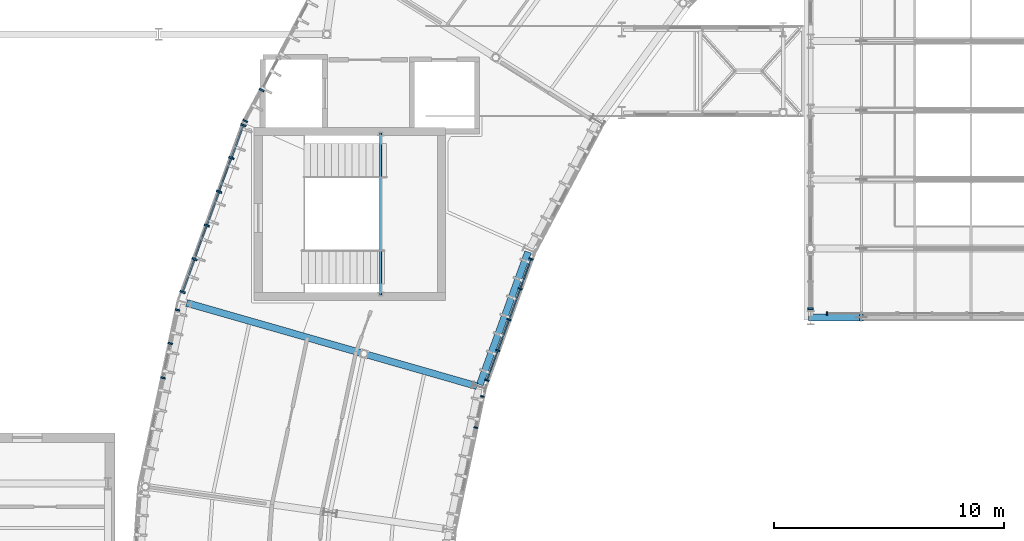
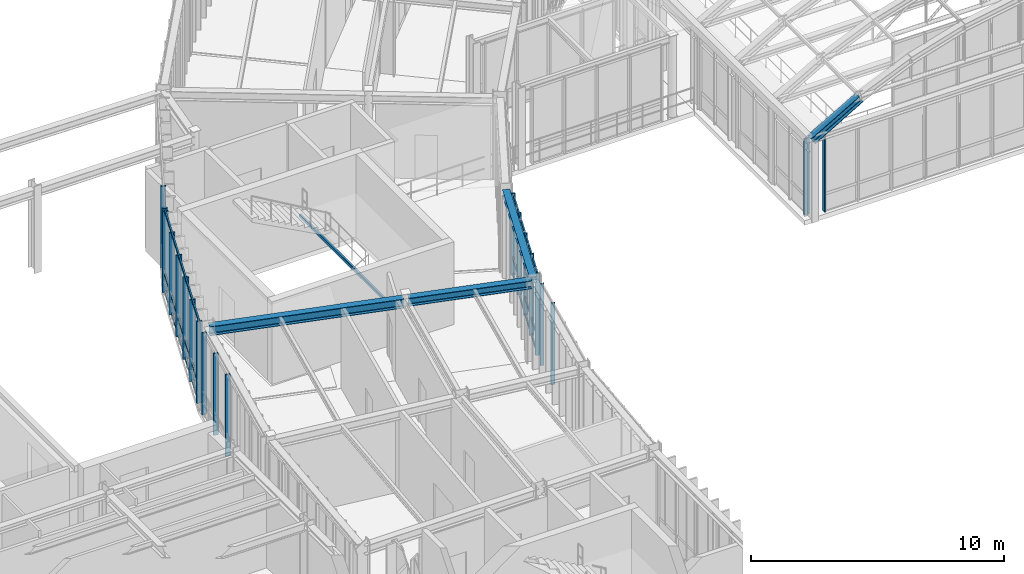
# One storey, part 22 of 148: 27 members, 4 beams, 7 elements without a shape of their own.
"""IFC4 building model written with IfcOpenShell, lengths in metres."""

from ifc_helpers import new_model, si_unit, direction, frame, origin, origin_2d, place, context, subcontext, project, spatial, rectangle, hollow_rectangle, i_section, extrude, material, layer, layer_set, material_profile, profile_set, type_object, element, aggregate, save


model = new_model("IFC4")

# Units and contexts
model_context = context("Model", 3, precision=1e-05, world=origin(), true_north=direction((0.0, 1.0)))
body_context = subcontext(model_context, "Body", "Model", "MODEL_VIEW")
ifc_project = project(units=[si_unit("LENGTHUNIT", "METRE"), si_unit("AREAUNIT", "SQUARE_METRE"), si_unit("VOLUMEUNIT", "CUBIC_METRE"), si_unit("PLANEANGLEUNIT", "RADIAN"), si_unit("MASSUNIT", "GRAM", prefix="KILO"), si_unit("THERMODYNAMICTEMPERATUREUNIT", "KELVIN"), si_unit("POWERUNIT", "WATT")], contexts=[model_context])

# Site, building, storey
site_placement = place(None, origin())
site = spatial("IfcSite", under=ifc_project, at=site_placement, CompositionType="ELEMENT")
building_placement = place(site_placement, origin())
building = spatial("IfcBuilding", under=site, at=building_placement, Name="Solvatero Civic Police Headquarters", CompositionType="ELEMENT")
storey_placement = place(building_placement, frame((0.0, 0.0, 5.10009765625)))
storey = spatial("IfcBuildingStorey", under=building, at=storey_placement, Name="L01", CompositionType="ELEMENT", Elevation=5.10009765625)

# Beams
ifc_material_1 = material(Name="Steel S355", Category="steel")
ifc_material_profile_1 = material_profile(ifc_material_1, i_section(OverallWidth=0.300048828125, OverallDepth=0.2900390625, WebThickness=0.008544921875, FlangeThickness=0.013916015625, FilletRadius=0.027099609375, at=origin_2d()), Name="HEA 300")
ifc_profile_set_1 = profile_set([ifc_material_profile_1], Name="Steel S355")
beam_type_1 = type_object("IfcBeamType", Name="BM-ST-HEA300", PredefinedType="SPANDREL", material=ifc_profile_set_1)
beam_1_placement = place(storey_placement, frame((52.53662109375, 44.3515625, 3.8349609375), z_axis=(-0.342050189855, -0.939681684199, 0.0), x_axis=(0.939681684199, -0.342050189855, 0.0)))
element("IfcBeam", 1, at=beam_1_placement, inside=storey, type_object=beam_type_1, Name="Perimeter / radial spandrel beam BM-R2-L01-ARC-CIN-B10", PredefinedType="SPANDREL", context=body_context, shape_type="SweptSolid", body=[
    extrude(i_section(OverallWidth=0.300048828125, OverallDepth=0.2900390625, WebThickness=0.008544921875, FlangeThickness=0.013916015625, FilletRadius=0.027099609375, at=origin_2d()), origin(), (0.0, 0.0, 1.0), 6.126953125),
])
ifc_material_profile_2 = material_profile(ifc_material_1, i_section(OverallWidth=0.300048828125, OverallDepth=0.389892578125, WebThickness=0.010986328125, FlangeThickness=0.01904296875, FilletRadius=0.027099609375, at=origin_2d()), Name="HEA 400")
ifc_profile_set_2 = profile_set([ifc_material_profile_2], Name="Steel S355")
beam_type_2 = type_object("IfcBeamType", Name="BM-ST-HEA400", PredefinedType="BEAM", material=ifc_profile_set_2)
beam_2_placement = place(storey_placement, frame((50.310791015625, 38.52783203125, 3.784912109375), z_axis=(-0.961263719424, 0.275630298987, 0.0), x_axis=(-0.275630298987, -0.961263719424, 0.0)))
element("IfcBeam", 2, at=beam_2_placement, inside=storey, type_object=beam_type_2, Name="Primary girder BM-R2-L01-ARC-RAD1-S10", PredefinedType="BEAM", context=body_context, shape_type="SweptSolid", body=[
    extrude(i_section(OverallWidth=0.300048828125, OverallDepth=0.389892578125, WebThickness=0.010986328125, FlangeThickness=0.01904296875, FilletRadius=0.027099609375, at=origin_2d()), origin(), (0.0, 0.0, 1.0), 5.0),
])
ifc_material_profile_3 = material_profile(ifc_material_1, i_section(OverallWidth=0.300048828125, OverallDepth=0.43994140625, WebThickness=0.011474609375, FlangeThickness=0.02099609375, FilletRadius=0.027099609375, at=origin_2d()), Name="HEA 450")
ifc_profile_set_3 = profile_set([ifc_material_profile_3], Name="Steel S355")
beam_type_3 = type_object("IfcBeamType", Name="BM-ST-HEA450", PredefinedType="BEAM", material=ifc_profile_set_3)
beam_3_placement = place(storey_placement, frame((45.31201171875, 39.961181640625, 3.760009765625), z_axis=(-0.961271645974, 0.275602653554, 0.0), x_axis=(-0.275602653554, -0.961271645974, 0.0)))
element("IfcBeam", 3, at=beam_3_placement, inside=storey, type_object=beam_type_3, Name="Primary girder BM-R2-L01-ARC-RAD2-S10", PredefinedType="BEAM", context=body_context, shape_type="SweptSolid", body=[
    extrude(i_section(OverallWidth=0.300048828125, OverallDepth=0.43994140625, WebThickness=0.011474609375, FlangeThickness=0.02099609375, FilletRadius=0.027099609375, at=origin_2d()), origin(), (0.0, 0.0, 1.0), 7.89990234375),
])
ifc_material_profile_4 = material_profile(ifc_material_1, i_section(OverallWidth=0.300048828125, OverallDepth=0.360107421875, WebThickness=0.012451171875, FlangeThickness=0.0224609375, FilletRadius=0.027099609375, at=origin_2d()), Name="HEB 360")
ifc_profile_set_4 = profile_set([ifc_material_profile_4], Name="Steel S355")
beam_type_4 = type_object("IfcBeamType", Name="BM-ST-HEB360", PredefinedType="BEAM", material=ifc_profile_set_4)
beam_4_placement = place(storey_placement, frame((64.800048828125, 41.5, 3.806884765625), z_axis=(0.865485501766, 0.0, 0.500933973926), x_axis=(0.0, 1.0, 0.0)))
element("IfcBeam", 4, at=beam_4_placement, inside=storey, type_object=beam_type_4, Name="VLT2 Tied-Arch Vault Top Chord F1.1", PredefinedType="BEAM", context=body_context, shape_type="SweptSolid", body=[
    extrude(i_section(OverallWidth=0.300048828125, OverallDepth=0.360107421875, WebThickness=0.012451171875, FlangeThickness=0.0224609375, FilletRadius=0.027099609375, at=origin_2d()), origin(), (0.0, 0.0, 1.0), 2.540283203125),
])

# Curtain wall, members
ifc_material_2 = material(Name="Anodized Bronze Aluminium", Category="aluminium")
ifc_layer_1 = layer(ifc_material_2, 0.179931640625)
ifc_layer_set_1 = layer_set([ifc_layer_1], Name="Anodized Bronze Aluminium")
curtain_wall_type_1 = type_object("IfcCurtainWallType", Name="CW-ARC-OUT", PredefinedType="USERDEFINED", material=ifc_layer_set_1)
curtain_wall_1_placement = place(storey_placement, origin())
curtain_wall_1 = element("IfcCurtainWall", 5, at=curtain_wall_1_placement, inside=storey, type_object=curtain_wall_type_1, Name="Curtain Wall CW-R2-L01-ARC-OUT-B10", ObjectType="UNITISED", PredefinedType="USERDEFINED")
ifc_material_profile_5 = material_profile(ifc_material_2, rectangle(XDim=0.080078125, YDim=0.239990234375, at=origin_2d()), Name="ALU MULLION 80x240")
ifc_profile_set_5 = profile_set([ifc_material_profile_5], Name="Anodized Bronze Aluminium")
member_type_1 = type_object("IfcMemberType", Name="CWM-140x60", PredefinedType="MULLION", material=ifc_profile_set_5)
member_1_placement = place(storey_placement, frame((40.17626953125, 49.854736328125, 0.0), z_axis=(0.0, 0.0, 1.0), x_axis=(-0.342020143326, -0.939692620786, 0.0)))
member_1 = element("IfcMember", 6, at=member_1_placement, type_object=member_type_1, Name="CW-R2-L01-ARC-OUT-B10 Mullion 1", PredefinedType="MULLION", context=body_context, shape_type="SweptSolid", body=[
    extrude(rectangle(XDim=0.080078125, YDim=0.239990234375, at=origin_2d()), origin(), (0.0, 0.0, 1.0), 3.93994140625),
])
member_2_placement = place(storey_placement, frame((39.656982421875, 48.428466796875, 0.0), z_axis=(0.0, 0.0, 1.0), x_axis=(-0.342020143326, -0.939692620786, 0.0)))
member_2 = element("IfcMember", 7, at=member_2_placement, type_object=member_type_1, Name="CW-R2-L01-ARC-OUT-B10 Mullion 2", PredefinedType="MULLION", context=body_context, shape_type="SweptSolid", body=[
    extrude(rectangle(XDim=0.080078125, YDim=0.239990234375, at=origin_2d()), origin(), (0.0, 0.0, 1.0), 3.93994140625),
])
member_3_placement = place(storey_placement, frame((39.12451171875, 46.964599609375, 0.0), z_axis=(0.0, 0.0, 1.0), x_axis=(-0.342020143326, -0.939692620786, 0.0)))
member_3 = element("IfcMember", 8, at=member_3_placement, type_object=member_type_1, Name="CW-R2-L01-ARC-OUT-B10 Mullion 3", PredefinedType="MULLION", context=body_context, shape_type="SweptSolid", body=[
    extrude(rectangle(XDim=0.080078125, YDim=0.239990234375, at=origin_2d()), origin(), (0.0, 0.0, 1.0), 3.93994140625),
])
member_4_placement = place(storey_placement, frame((38.591552734375, 45.5009765625, 0.0), z_axis=(0.0, 0.0, 1.0), x_axis=(-0.342020143326, -0.939692620786, 0.0)))
member_4 = element("IfcMember", 9, at=member_4_placement, type_object=member_type_1, Name="CW-R2-L01-ARC-OUT-B10 Mullion 4", PredefinedType="MULLION", context=body_context, shape_type="SweptSolid", body=[
    extrude(rectangle(XDim=0.080078125, YDim=0.239990234375, at=origin_2d()), origin(), (0.0, 0.0, 1.0), 3.93994140625),
])
member_5_placement = place(storey_placement, frame((38.058837890625, 44.037109375, 0.0), z_axis=(0.0, 0.0, 1.0), x_axis=(-0.342020143326, -0.939692620786, 0.0)))
member_5 = element("IfcMember", 10, at=member_5_placement, type_object=member_type_1, Name="CW-R2-L01-ARC-OUT-B10 Mullion 5", PredefinedType="MULLION", context=body_context, shape_type="SweptSolid", body=[
    extrude(rectangle(XDim=0.080078125, YDim=0.239990234375, at=origin_2d()), origin(), (0.0, 0.0, 1.0), 3.93994140625),
])
member_6_placement = place(storey_placement, frame((37.539794921875, 42.611083984375, 0.0), z_axis=(0.0, 0.0, 1.0), x_axis=(-0.342020143326, -0.939692620786, 0.0)))
member_6 = element("IfcMember", 11, at=member_6_placement, type_object=member_type_1, Name="CW-R2-L01-ARC-OUT-B10 Mullion 6", PredefinedType="MULLION", context=body_context, shape_type="SweptSolid", body=[
    extrude(rectangle(XDim=0.080078125, YDim=0.239990234375, at=origin_2d()), origin(), (0.0, 0.0, 1.0), 3.93994140625),
])

# Curtain wall, member
ifc_layer_2 = layer(ifc_material_2, 0.179931640625)
ifc_layer_set_2 = layer_set([ifc_layer_2], Name="Anodized Bronze Aluminium")
curtain_wall_type_2 = type_object("IfcCurtainWallType", Name="CW-HAL-GLZ", PredefinedType="USERDEFINED", material=ifc_layer_set_2)
curtain_wall_2_placement = place(storey_placement, origin())
curtain_wall_2 = element("IfcCurtainWall", 12, at=curtain_wall_2_placement, inside=storey, type_object=curtain_wall_type_2, Name="Curtain Wall CW-R2-L01-V2-W-B1", ObjectType="UNITISED", PredefinedType="USERDEFINED")
member_7_placement = place(storey_placement, frame((64.800048828125, 41.8798828125, 0.0), z_axis=(0.0, 0.0, 1.0), x_axis=(0.0, 1.0, 0.0)))
member_7 = element("IfcMember", 13, at=member_7_placement, type_object=member_type_1, Name="CW-R2-L01-V2-W-B1 Mullion 1", PredefinedType="MULLION", context=body_context, shape_type="SweptSolid", body=[
    extrude(rectangle(XDim=0.080078125, YDim=0.239990234375, at=origin_2d()), origin(), (0.0, 0.0, 1.0), 3.659912109375),
])
aggregate(curtain_wall_2, [member_7])

# Curtain wall, members
ifc_layer_3 = layer(ifc_material_2, 0.179931640625)
ifc_layer_set_3 = layer_set([ifc_layer_3], Name="Anodized Bronze Aluminium")
curtain_wall_type_3 = type_object("IfcCurtainWallType", Name="CW-ARC-IN", PredefinedType="USERDEFINED", material=ifc_layer_set_3)
curtain_wall_3_placement = place(storey_placement, origin())
curtain_wall_3 = element("IfcCurtainWall", 14, at=curtain_wall_3_placement, inside=storey, type_object=curtain_wall_type_3, Name="Curtain Wall CW-R2-L01-ARC-IN-B11", ObjectType="UNITISED", PredefinedType="USERDEFINED")
ifc_material_profile_6 = material_profile(ifc_material_2, rectangle(XDim=0.06005859375, YDim=0.159912109375, at=origin_2d()), Name="ALU MULLION 60x160")
ifc_profile_set_6 = profile_set([ifc_material_profile_6], Name="Anodized Bronze Aluminium")
member_type_2 = type_object("IfcMemberType", Name="CWM-180x70", PredefinedType="MULLION", material=ifc_profile_set_6)
member_8_placement = place(storey_placement, frame((50.55224609375, 38.080810546875, 0.0), z_axis=(0.0, 0.0, 1.0), x_axis=(-0.207911690818, -0.978147600734, 0.0)))
member_8 = element("IfcMember", 15, at=member_8_placement, type_object=member_type_2, Name="CW-R2-L01-ARC-IN-B11 Mullion 1", PredefinedType="MULLION", context=body_context, shape_type="SweptSolid", body=[
    extrude(rectangle(XDim=0.06005859375, YDim=0.159912109375, at=origin_2d()), origin(), (0.0, 0.0, 1.0), 3.93994140625),
])
member_9_placement = place(storey_placement, frame((50.264892578125, 36.729736328125, 0.0), z_axis=(0.0, 0.0, 1.0), x_axis=(-0.207911690818, -0.978147600734, 0.0)))
member_9 = element("IfcMember", 16, at=member_9_placement, type_object=member_type_2, Name="CW-R2-L01-ARC-IN-B11 Mullion 2", PredefinedType="MULLION", context=body_context, shape_type="SweptSolid", body=[
    extrude(rectangle(XDim=0.06005859375, YDim=0.159912109375, at=origin_2d()), origin(), (0.0, 0.0, 1.0), 3.93994140625),
])
aggregate(curtain_wall_3, [member_8, member_9])

# Curtain wall, member
curtain_wall_4_placement = place(storey_placement, origin())
curtain_wall_4 = element("IfcCurtainWall", 17, at=curtain_wall_4_placement, inside=storey, type_object=curtain_wall_type_2, Name="Curtain Wall CW-R2-L01-V2-S", ObjectType="UNITISED", PredefinedType="USERDEFINED")
member_10_placement = place(storey_placement, frame((65.5, 41.679931640625, 0.0), z_axis=(0.0, 0.0, 1.0), x_axis=(1.0, 0.0, 0.0)))
member_10 = element("IfcMember", 18, at=member_10_placement, type_object=member_type_2, Name="CW-R2-L01-V2-S Mullion 1", PredefinedType="MULLION", context=body_context, shape_type="SweptSolid", body=[
    extrude(rectangle(XDim=0.06005859375, YDim=0.159912109375, at=origin_2d()), origin(), (0.0, 0.0, 1.0), 3.619873046875),
])
aggregate(curtain_wall_4, [member_10])

# Curtain wall, members
curtain_wall_5_placement = place(storey_placement, origin())
curtain_wall_5 = element("IfcCurtainWall", 19, at=curtain_wall_5_placement, inside=storey, type_object=curtain_wall_type_3, Name="Curtain Wall CW-R2-L01-ARC-IN-B10", ObjectType="UNITISED", PredefinedType="USERDEFINED")
ifc_material_profile_7 = material_profile(ifc_material_2, rectangle(XDim=0.06494140625, YDim=0.179931640625, at=origin_2d()), Name="ALU MULLION 65x180")
ifc_profile_set_7 = profile_set([ifc_material_profile_7], Name="Anodized Bronze Aluminium")
member_type_3 = type_object("IfcMemberType", Name="CWM-200x75", PredefinedType="MULLION", material=ifc_profile_set_7)
member_11_placement = place(storey_placement, frame((52.669189453125, 44.045654296875, 0.0), z_axis=(0.0, 0.0, 1.0), x_axis=(-0.342020143326, -0.939692620786, 0.0)))
member_11 = element("IfcMember", 20, at=member_11_placement, type_object=member_type_3, Name="CW-R2-L01-ARC-IN-B10 Mullion 1", PredefinedType="MULLION", context=body_context, shape_type="SweptSolid", body=[
    extrude(rectangle(XDim=0.06494140625, YDim=0.179931640625, at=origin_2d()), origin(), (0.0, 0.0, 1.0), 3.93994140625),
])
member_12_placement = place(storey_placement, frame((52.197021484375, 42.747802734375, 0.0), z_axis=(0.0, 0.0, 1.0), x_axis=(-0.342020143326, -0.939692620786, 0.0)))
member_12 = element("IfcMember", 21, at=member_12_placement, type_object=member_type_3, Name="CW-R2-L01-ARC-IN-B10 Mullion 2", PredefinedType="MULLION", context=body_context, shape_type="SweptSolid", body=[
    extrude(rectangle(XDim=0.06494140625, YDim=0.179931640625, at=origin_2d()), origin(), (0.0, 0.0, 1.0), 3.93994140625),
])
member_13_placement = place(storey_placement, frame((51.7109375, 41.412109375, 0.0), z_axis=(0.0, 0.0, 1.0), x_axis=(-0.342020143326, -0.939692620786, 0.0)))
member_13 = element("IfcMember", 22, at=member_13_placement, type_object=member_type_3, Name="CW-R2-L01-ARC-IN-B10 Mullion 3", PredefinedType="MULLION", context=body_context, shape_type="SweptSolid", body=[
    extrude(rectangle(XDim=0.06494140625, YDim=0.179931640625, at=origin_2d()), origin(), (0.0, 0.0, 1.0), 3.93994140625),
])
member_14_placement = place(storey_placement, frame((51.224853515625, 40.076904296875, 0.0), z_axis=(0.0, 0.0, 1.0), x_axis=(-0.342020143326, -0.939692620786, 0.0)))
member_14 = element("IfcMember", 23, at=member_14_placement, type_object=member_type_3, Name="CW-R2-L01-ARC-IN-B10 Mullion 4", PredefinedType="MULLION", context=body_context, shape_type="SweptSolid", body=[
    extrude(rectangle(XDim=0.06494140625, YDim=0.179931640625, at=origin_2d()), origin(), (0.0, 0.0, 1.0), 3.93994140625),
])
member_15_placement = place(storey_placement, frame((50.75244140625, 38.77880859375, 0.0), z_axis=(0.0, 0.0, 1.0), x_axis=(-0.342020143326, -0.939692620786, 0.0)))
member_15 = element("IfcMember", 24, at=member_15_placement, type_object=member_type_3, Name="CW-R2-L01-ARC-IN-B10 Mullion 5", PredefinedType="MULLION", context=body_context, shape_type="SweptSolid", body=[
    extrude(rectangle(XDim=0.06494140625, YDim=0.179931640625, at=origin_2d()), origin(), (0.0, 0.0, 1.0), 3.93994140625),
])

curtain_wall_6_placement = place(storey_placement, origin())
curtain_wall_6 = element("IfcCurtainWall", 25, at=curtain_wall_6_placement, inside=storey, type_object=curtain_wall_type_1, Name="Curtain Wall CW-R2-L01-ARC-OUT-B11", ObjectType="UNITISED", PredefinedType="USERDEFINED")
ifc_material_profile_8 = material_profile(ifc_material_2, rectangle(XDim=0.070068359375, YDim=0.199951171875, at=origin_2d()), Name="ALU MULLION 70x200")
ifc_profile_set_8 = profile_set([ifc_material_profile_8], Name="Anodized Bronze Aluminium")
member_type_4 = type_object("IfcMemberType", Name="CWM-220x80", PredefinedType="MULLION", material=ifc_profile_set_8)
member_16_placement = place(storey_placement, frame((37.31640625, 41.83251953125, 0.0), z_axis=(0.0, 0.0, 1.0), x_axis=(-0.207911690818, -0.978147600734, 0.0)))
member_16 = element("IfcMember", 26, at=member_16_placement, type_object=member_type_4, Name="CW-R2-L01-ARC-OUT-B11 Mullion 1", PredefinedType="MULLION", context=body_context, shape_type="SweptSolid", body=[
    extrude(rectangle(XDim=0.070068359375, YDim=0.199951171875, at=origin_2d()), origin(), (0.0, 0.0, 1.0), 3.93994140625),
])
member_17_placement = place(storey_placement, frame((37.007568359375, 40.378662109375, 0.0), z_axis=(0.0, 0.0, 1.0), x_axis=(-0.207911690818, -0.978147600734, 0.0)))
member_17 = element("IfcMember", 27, at=member_17_placement, type_object=member_type_4, Name="CW-R2-L01-ARC-OUT-B11 Mullion 2", PredefinedType="MULLION", context=body_context, shape_type="SweptSolid", body=[
    extrude(rectangle(XDim=0.070068359375, YDim=0.199951171875, at=origin_2d()), origin(), (0.0, 0.0, 1.0), 3.93994140625),
])
member_18_placement = place(storey_placement, frame((36.690185546875, 38.885986328125, 0.0), z_axis=(0.0, 0.0, 1.0), x_axis=(-0.207911690818, -0.978147600734, 0.0)))
member_18 = element("IfcMember", 28, at=member_18_placement, type_object=member_type_4, Name="CW-R2-L01-ARC-OUT-B11 Mullion 3", PredefinedType="MULLION", context=body_context, shape_type="SweptSolid", body=[
    extrude(rectangle(XDim=0.070068359375, YDim=0.199951171875, at=origin_2d()), origin(), (0.0, 0.0, 1.0), 3.93994140625),
])
aggregate(curtain_wall_6, [member_16, member_17, member_18])

curtain_wall_7_placement = place(storey_placement, origin())
curtain_wall_7 = element("IfcCurtainWall", 29, at=curtain_wall_7_placement, inside=storey, type_object=curtain_wall_type_1, Name="Curtain Wall CW-R2-L01-ARC-OUT-B09", ObjectType="UNITISED", PredefinedType="USERDEFINED")
ifc_material_profile_9 = material_profile(ifc_material_2, rectangle(XDim=0.074951171875, YDim=0.219970703125, at=origin_2d()), Name="ALU MULLION 75x220")
ifc_profile_set_9 = profile_set([ifc_material_profile_9], Name="Anodized Bronze Aluminium")
member_type_5 = type_object("IfcMemberType", Name="CWM-250x85", PredefinedType="MULLION", material=ifc_profile_set_9)
member_19_placement = place(storey_placement, frame((40.969970703125, 51.377197265625, 0.0), z_axis=(0.0, 0.0, 1.0), x_axis=(-0.469471562786, -0.882947592859, 0.0)))
member_19 = element("IfcMember", 30, at=member_19_placement, type_object=member_type_5, Name="CW-R2-L01-ARC-OUT-B09 Mullion 5", PredefinedType="MULLION", context=body_context, shape_type="SweptSolid", body=[
    extrude(rectangle(XDim=0.074951171875, YDim=0.219970703125, at=origin_2d()), origin(), (0.0, 0.0, 1.0), 3.93994140625),
])
member_20_placement = place(storey_placement, frame((40.25732421875, 50.037109375, 0.0), z_axis=(0.0, 0.0, 1.0), x_axis=(-0.469471562786, -0.882947592859, 0.0)))
member_20 = element("IfcMember", 31, at=member_20_placement, type_object=member_type_5, Name="CW-R2-L01-ARC-OUT-B09 Mullion 6", PredefinedType="MULLION", context=body_context, shape_type="SweptSolid", body=[
    extrude(rectangle(XDim=0.074951171875, YDim=0.219970703125, at=origin_2d()), origin(), (0.0, 0.0, 1.0), 3.93994140625),
])
aggregate(curtain_wall_7, [member_19, member_20])

# Member
ifc_material_profile_10 = material_profile(ifc_material_2, rectangle(XDim=0.06005859375, YDim=0.110107421875, at=origin_2d()), Name="ALU TRANSOM 60x110")
ifc_profile_set_10 = profile_set([ifc_material_profile_10], Name="Anodized Bronze Aluminium")
member_type_6 = type_object("IfcMemberType", Name="CWT-140x60", PredefinedType="USERDEFINED", material=ifc_profile_set_10)
member_21_placement = place(storey_placement, frame((52.666015625, 44.0361328125, 0.039794921875), z_axis=(-0.342037893317, -0.939686160128, 0.0), x_axis=(0.939686160128, -0.342037893317, 0.0)))
member_21 = element("IfcMember", 32, at=member_21_placement, type_object=member_type_6, Name="CW-R2-L01-ARC-IN-B10 Transom 1", ObjectType="TRANSOM", PredefinedType="USERDEFINED", context=body_context, shape_type="SweptSolid", body=[
    extrude(rectangle(XDim=0.06005859375, YDim=0.110107421875, at=origin_2d()), origin(), (0.0, 0.0, 1.0), 5.584716796875),
])

member_22_placement = place(storey_placement, frame((52.666015625, 44.0361328125, 0.849853515625), z_axis=(-0.342037893317, -0.939686160128, 0.0), x_axis=(0.939686160128, -0.342037893317, 0.0)))
member_22 = element("IfcMember", 33, at=member_22_placement, type_object=member_type_6, Name="CW-R2-L01-ARC-IN-B10 Transom 2", ObjectType="TRANSOM", PredefinedType="USERDEFINED", context=body_context, shape_type="SweptSolid", body=[
    extrude(rectangle(XDim=0.06005859375, YDim=0.110107421875, at=origin_2d()), origin(), (0.0, 0.0, 1.0), 5.584716796875),
])

member_23_placement = place(storey_placement, frame((52.666015625, 44.0361328125, 3.89990234375), z_axis=(-0.342037893317, -0.939686160128, 0.0), x_axis=(0.939686160128, -0.342037893317, 0.0)))
member_23 = element("IfcMember", 34, at=member_23_placement, type_object=member_type_6, Name="CW-R2-L01-ARC-IN-B10 Transom 3", ObjectType="TRANSOM", PredefinedType="USERDEFINED", context=body_context, shape_type="SweptSolid", body=[
    extrude(rectangle(XDim=0.06005859375, YDim=0.110107421875, at=origin_2d()), origin(), (0.0, 0.0, 1.0), 5.584716796875),
])

aggregate(curtain_wall_5, [member_11, member_12, member_13, member_14, member_15, member_21, member_22, member_23])

ifc_material_profile_11 = material_profile(ifc_material_2, rectangle(XDim=0.06494140625, YDim=0.139892578125, at=origin_2d()), Name="ALU TRANSOM 65x140")
ifc_profile_set_11 = profile_set([ifc_material_profile_11], Name="Anodized Bronze Aluminium")
member_type_7 = type_object("IfcMemberType", Name="CWT-180x70", PredefinedType="USERDEFINED", material=ifc_profile_set_11)
member_24_placement = place(storey_placement, frame((40.1728515625, 49.84521484375, 0.039794921875), z_axis=(-0.342020952468, -0.939692326282, 0.0), x_axis=(0.939692326282, -0.342020952468, 0.0)))
member_24 = element("IfcMember", 35, at=member_24_placement, type_object=member_type_7, Name="CW-R2-L01-ARC-OUT-B10 Transom 1", ObjectType="TRANSOM", PredefinedType="USERDEFINED", context=body_context, shape_type="SweptSolid", body=[
    extrude(rectangle(XDim=0.06494140625, YDim=0.139892578125, at=origin_2d()), origin(), (0.0, 0.0, 1.0), 7.6884765625),
])

member_25_placement = place(storey_placement, frame((40.1728515625, 49.84521484375, 0.849853515625), z_axis=(-0.342020952468, -0.939692326282, 0.0), x_axis=(0.939692326282, -0.342020952468, 0.0)))
member_25 = element("IfcMember", 36, at=member_25_placement, type_object=member_type_7, Name="CW-R2-L01-ARC-OUT-B10 Transom 2", ObjectType="TRANSOM", PredefinedType="USERDEFINED", context=body_context, shape_type="SweptSolid", body=[
    extrude(rectangle(XDim=0.06494140625, YDim=0.139892578125, at=origin_2d()), origin(), (0.0, 0.0, 1.0), 7.6884765625),
])

member_26_placement = place(storey_placement, frame((40.1728515625, 49.84521484375, 3.89990234375), z_axis=(-0.342020952468, -0.939692326282, 0.0), x_axis=(0.939692326282, -0.342020952468, 0.0)))
member_26 = element("IfcMember", 37, at=member_26_placement, type_object=member_type_7, Name="CW-R2-L01-ARC-OUT-B10 Transom 3", ObjectType="TRANSOM", PredefinedType="USERDEFINED", context=body_context, shape_type="SweptSolid", body=[
    extrude(rectangle(XDim=0.06494140625, YDim=0.139892578125, at=origin_2d()), origin(), (0.0, 0.0, 1.0), 7.6884765625),
])

aggregate(curtain_wall_1, [member_1, member_2, member_3, member_4, member_5, member_6, member_24, member_25, member_26])

ifc_material_profile_12 = material_profile(ifc_material_1, hollow_rectangle(XDim=0.10009765625, YDim=0.14990234375, WallThickness=0.00634765625, InnerFilletRadius=0.00634765625, OuterFilletRadius=0.0126953125, at=origin_2d()), Name="RHS 150x100x6.3")
ifc_profile_set_12 = profile_set([ifc_material_profile_12], Name="Steel S355")
member_type_8 = type_object("IfcMemberType", Name="MB-BR-RHS150", PredefinedType="BRACE", material=ifc_profile_set_12)
member_27_placement = place(storey_placement, frame((46.139892578125, 42.47998046875, 1.824951171875), z_axis=(0.0, 1.0, 0.0), x_axis=(-1.0, 0.0, 0.0)))
element("IfcMember", 38, at=member_27_placement, inside=storey, type_object=member_type_8, Name="ST-C2 L01 Landing Support Beam", PredefinedType="BRACE", context=body_context, shape_type="SweptSolid", body=[
    extrude(hollow_rectangle(XDim=0.10009765625, YDim=0.14990234375, WallThickness=0.00634765625, InnerFilletRadius=0.00634765625, OuterFilletRadius=0.0126953125, at=origin_2d()), origin(), (0.0, 0.0, 1.0), 7.0400390625),
])

save(model, "model.ifc")
